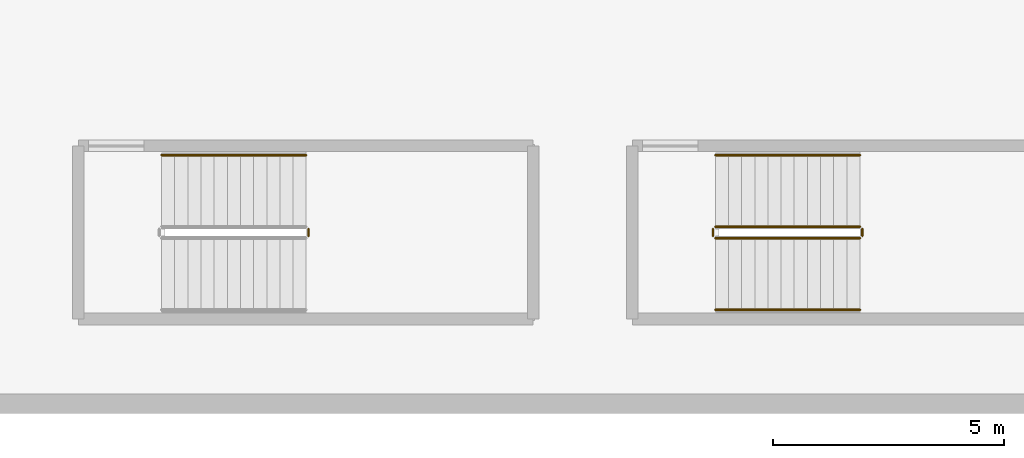
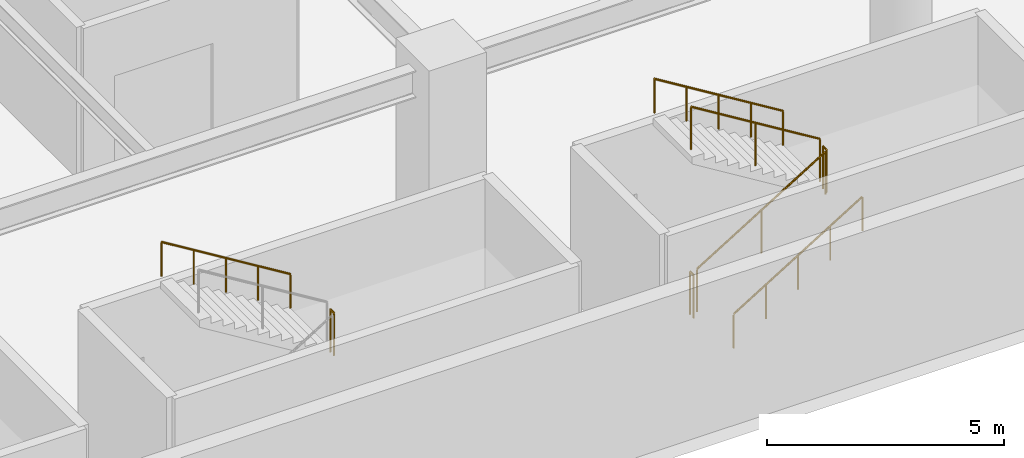
# One storey, part 17 of 22: 8 railings.
"""IFC4 building model written with IfcOpenShell, lengths in metres."""

import ifcopenshell
import ifcopenshell.guid

model = None  # the IFC model being written
_history = None  # IfcOwnerHistory: only IFC2X3 demands one
_inside = {}  # id of a spatial element -> (the spatial element, [elements in it])
_under = {}  # id of a project, library or spatial element -> (it, [spatial elements below it])
_declared = {}  # id of a project -> (the project, [libraries it declares])
_typed = {}  # id of a type object -> (the type object, [elements of that type])
_made_of = {}  # id of a material, layer set ... -> (it, [elements and type objects made of it])


def new_model(schema):
    """Start an empty IFC model of exactly this schema.

    Asked for "IFC4X3", IfcOpenShell would pick the latest addendum, in which some entities
    have other attributes; the version numbers below select the first issue.
    IFC2X3 requires an IfcOwnerHistory on every rooted entity: one is made here for all.
    """
    global model, _history
    if schema == "IFC4X3":
        model = ifcopenshell.file(schema_version=(4, 3, 0, 0))
    else:
        model = ifcopenshell.file(schema=schema)
    _inside.clear()
    _under.clear()
    _declared.clear()
    _typed.clear()
    _made_of.clear()
    _history = None
    if model.schema == "IFC2X3":
        org = make("IfcOrganization", Name="unknown")
        user = make(
            "IfcPersonAndOrganization",
            ThePerson=make("IfcPerson", FamilyName="unknown"),
            TheOrganization=org,
        )
        app = make(
            "IfcApplication",
            ApplicationDeveloper=org,
            Version="unknown",
            ApplicationFullName="unknown",
            ApplicationIdentifier="unknown",
        )
        _history = make(
            "IfcOwnerHistory",
            OwningUser=user,
            OwningApplication=app,
            ChangeAction="ADDED",
            CreationDate=0,
        )
    return model


def make(cls, **values):
    """One entity of the class cls with the attributes given. An attribute that is None is left unset."""
    return model.create_entity(
        cls, **{name: value for name, value in values.items() if value is not None}
    )


def rooted(cls, **values):
    """An entity with a GlobalId (a new one), such as an element, a storey or a relation."""
    return make(cls, GlobalId=ifcopenshell.guid.new(), OwnerHistory=_history, **values)


def si_unit(unit_type, name, prefix=None):
    """IfcSIUnit, for example si_unit("LENGTHUNIT", "METRE", prefix="MILLI")."""
    return make("IfcSIUnit", UnitType=unit_type, Prefix=prefix, Name=name)


def assignment(units):
    """IfcUnitAssignment: the units of a project."""
    return None if units is None else make("IfcUnitAssignment", Units=units)


def point(xyz):
    """IfcCartesianPoint."""
    return None if xyz is None else make("IfcCartesianPoint", Coordinates=xyz)


def direction(xyz):
    """IfcDirection."""
    return None if xyz is None else make("IfcDirection", DirectionRatios=xyz)


def frame(location, z_axis=None, x_axis=None):
    """IfcAxis2Placement3D, a coordinate frame: its origin and axes. An axis left out is left unset."""
    return make(
        "IfcAxis2Placement3D",
        Location=point(location),
        Axis=direction(z_axis),
        RefDirection=direction(x_axis),
    )


def frame_2d(location, x_axis=None):
    """IfcAxis2Placement2D, a coordinate frame in the plane: its origin and x axis."""
    return make(
        "IfcAxis2Placement2D", Location=point(location), RefDirection=direction(x_axis)
    )


def origin():
    """The frame at (0, 0, 0) with its axes left unset."""
    return frame((0.0, 0.0, 0.0))


def origin_2d():
    """The frame at (0, 0) in the plane with its x axis left unset."""
    return frame_2d((0.0, 0.0))


def place(relative_to, where):
    """IfcLocalPlacement: puts the frame where relative to a parent placement (None: the world)."""
    return make(
        "IfcLocalPlacement", PlacementRelTo=relative_to, RelativePlacement=where
    )


def context(
    kind, dimensions, precision=None, world=None, true_north=None, identifier=None
):
    """IfcGeometricRepresentationContext, for example the 3D "Model" context."""
    return make(
        "IfcGeometricRepresentationContext",
        ContextIdentifier=identifier,
        ContextType=kind,
        CoordinateSpaceDimension=dimensions,
        Precision=precision,
        WorldCoordinateSystem=world,
        TrueNorth=true_north,
    )


def subcontext(parent, identifier, kind, view, scale=None):
    """IfcGeometricRepresentationSubContext, for example "Body" below "Model"."""
    return make(
        "IfcGeometricRepresentationSubContext",
        ContextIdentifier=identifier,
        ContextType=kind,
        ParentContext=parent,
        TargetScale=scale,
        TargetView=view,
    )


def project(units=None, contexts=None):
    """IfcProject with its units and contexts."""
    return rooted(
        "IfcProject",
        Name="project",
        RepresentationContexts=contexts,
        UnitsInContext=assignment(units),
    )


def spatial(cls, under=None, at=None, **own):
    """A site, building, storey or space (cls), placed at a placement, below another one or the project."""
    s = rooted(cls, ObjectPlacement=at, **own)
    if under is not None:
        _under.setdefault(under.id(), (under, []))[1].append(s)
    return s


def profile(cls, at=None, kind="AREA", **sizes):
    """A parametric profile (cls). Its sizes go by their IFC names, for example OverallWidth=200.0."""
    return make(cls, ProfileType=kind, Position=at, **sizes)


def circle(**sizes):
    """IfcCircleProfileDef."""
    return profile("IfcCircleProfileDef", **sizes)


def extrude(swept, where, along, depth):
    """IfcExtrudedAreaSolid: the profile swept, set in the frame where, extruded along a direction by depth."""
    return make(
        "IfcExtrudedAreaSolid",
        SweptArea=swept,
        Position=where,
        ExtrudedDirection=direction(along),
        Depth=depth,
    )


def shape(context_of_items, identifier, shape_type, items):
    """IfcShapeRepresentation: the items that make up one representation, for example the "Body"."""
    return make(
        "IfcShapeRepresentation",
        ContextOfItems=context_of_items,
        RepresentationIdentifier=identifier,
        RepresentationType=shape_type,
        Items=items,
    )


def material(Name=None, Category=None):
    """IfcMaterial."""
    return make("IfcMaterial", Name=Name, Category=Category)


def made_of(thing, what):
    """Note that an element or type object is made of a material, layer set ...; save() writes the relation."""
    if what is not None:
        _made_of.setdefault(what.id(), (what, []))[1].append(thing)
    return thing


def type_object(cls, material=None, **own):
    """A type object (cls), such as IfcWallType, which elements share."""
    return made_of(rooted(cls, **own), material)


def element(
    cls,
    number,
    at=None,
    inside=None,
    cuts=None,
    type_object=None,
    material=None,
    context=None,
    identifier="Body",
    shape_type=None,
    held_by="IfcProductDefinitionShape",
    body=None,
    shapes=None,
    **own,
):
    """One element of the class cls, such as IfcWall. Its Tag is "e" and its number.

    at: its placement. inside: the storey or other place that contains it. cuts: it is an
    opening in that element (IfcRelVoidsElement). A single representation is given by context,
    identifier, shape_type and body (its items); several are given by shapes. held_by: the class
    of the entity that holds the representations. save() writes the other relations.
    """
    e = rooted(cls, Tag="e%d" % number, ObjectPlacement=at, **own)
    if body is not None:
        shapes = [shape(context, identifier, shape_type, body)]
    if shapes is not None:
        e.Representation = make(held_by, Representations=shapes)
    if inside is not None:
        _inside.setdefault(inside.id(), (inside, []))[1].append(e)
    if cuts is not None:
        rooted(
            "IfcRelVoidsElement", RelatingBuildingElement=cuts, RelatedOpeningElement=e
        )
    if type_object is not None:
        _typed.setdefault(type_object.id(), (type_object, []))[1].append(e)
    return made_of(e, material)


def aggregate(whole, parts):
    """IfcRelAggregates: a whole, such as a stair, and the parts it consists of."""
    return rooted("IfcRelAggregates", RelatingObject=whole, RelatedObjects=parts)


def save(model, path):
    """Write the relations noted so far, then the file.

    IfcRelAggregates (storeys below a building ...), IfcRelContainedInSpatialStructure (elements
    in a storey), IfcRelDefinesByType, IfcRelAssociatesMaterial and IfcRelDeclares: one each for
    every whole, place, type object, material and project.
    """
    for whole, parts in _under.values():
        aggregate(whole, parts)
    for where, things in _inside.values():
        rooted(
            "IfcRelContainedInSpatialStructure",
            RelatedElements=things,
            RelatingStructure=where,
        )
    for kind, things in _typed.values():
        rooted("IfcRelDefinesByType", RelatedObjects=things, RelatingType=kind)
    for what, things in _made_of.values():
        rooted("IfcRelAssociatesMaterial", RelatedObjects=things, RelatingMaterial=what)
    for by, libraries in _declared.values():
        rooted("IfcRelDeclares", RelatingContext=by, RelatedDefinitions=libraries)
    model.write(path)


model = new_model("IFC4")

# Units and contexts
model_context = context("Model", 3, precision=1e-05, world=origin(), true_north=direction((0.0, 1.0)))
body_context = subcontext(model_context, "Body", "Model", "MODEL_VIEW")
ifc_project = project(units=[si_unit("LENGTHUNIT", "METRE"), si_unit("AREAUNIT", "SQUARE_METRE"), si_unit("VOLUMEUNIT", "CUBIC_METRE"), si_unit("PLANEANGLEUNIT", "RADIAN"), si_unit("MASSUNIT", "GRAM", prefix="KILO")], contexts=[model_context])

# Site, building, storey
site_placement = place(None, origin())
site = spatial("IfcSite", under=ifc_project, at=site_placement, CompositionType="ELEMENT")
building_placement = place(site_placement, origin())
building = spatial("IfcBuilding", under=site, at=building_placement, Name="Narakoshi Arena Tower", CompositionType="ELEMENT")
storey_placement = place(building_placement, frame((0.0, 0.0, 13.199951171875)))
storey = spatial("IfcBuildingStorey", under=building, at=storey_placement, Name="L03", CompositionType="ELEMENT", Elevation=13.199951171875)

# Railings
ifc_material_1 = material(Name="Clear low-iron laminated structural glass", Category="glass")
railing_type_1 = type_object("IfcRailingType", Name="RL-BAL-1100", PredefinedType="BALUSTRADE", material=ifc_material_1)
railing_1_placement = place(storey_placement, frame((33.8349609375, 3.85009765625, 2.10009765625)))
element("IfcRailing", 1, at=railing_1_placement, inside=storey, type_object=railing_type_1, Name="L03 AST3 stair guard 2", PredefinedType="BALUSTRADE", context=body_context, shape_type="SweptSolid", body=[
    extrude(circle(Radius=0.02392578125, at=origin_2d()), frame((0.0, 0.0, 1.09619140625), z_axis=(0.0, 1.0, 0.0), x_axis=(-1.0, 0.0, 0.0)), (0.0, 0.0, 1.0), 0.14990234375),
    extrude(circle(Radius=0.02099609375, at=origin_2d()), origin(), (0.0, 0.0, 1.0), 1.072021484375),
    extrude(circle(Radius=0.02099609375, at=origin_2d()), frame((0.0, 0.14990234375, 0.0)), (0.0, 0.0, 1.0), 1.072021484375),
])
railing_2_placement = place(storey_placement, frame((42.64990234375, 3.800048828125, 0.175048828125)))
element("IfcRailing", 2, at=railing_2_placement, inside=storey, type_object=railing_type_1, Name="L03 AST4 stair guard 1", PredefinedType="BALUSTRADE", context=body_context, shape_type="SweptSolid", body=[
    extrude(circle(Radius=0.02392578125, at=origin_2d()), frame((0.0, 0.0, 1.09619140625), z_axis=(0.852166034122, 0.0, 0.523271488128), x_axis=(0.0, 1.0, 0.0)), (0.0, 0.0, 1.0), 3.678955078125),
    extrude(circle(Radius=0.02099609375, at=origin_2d()), origin(), (0.0, 0.0, 1.0), 1.072021484375),
    extrude(circle(Radius=0.02099609375, at=origin_2d()), frame((1.5673828125, 0.0, 0.96240234375)), (0.0, 0.0, 1.0), 1.072021484375),
    extrude(circle(Radius=0.02099609375, at=origin_2d()), frame((3.135009765625, 0.0, 1.925048828125)), (0.0, 0.0, 1.0), 1.072021484375),
])
railing_3_placement = place(storey_placement, frame((45.8349609375, 3.85009765625, 2.10009765625)))
element("IfcRailing", 3, at=railing_3_placement, inside=storey, type_object=railing_type_1, Name="L03 AST4 stair guard 2", PredefinedType="BALUSTRADE", context=body_context, shape_type="SweptSolid", body=[
    extrude(circle(Radius=0.02392578125, at=origin_2d()), frame((0.0, 0.0, 1.09619140625), z_axis=(0.0, 1.0, 0.0), x_axis=(-1.0, 0.0, 0.0)), (0.0, 0.0, 1.0), 0.14990234375),
    extrude(circle(Radius=0.02099609375, at=origin_2d()), origin(), (0.0, 0.0, 1.0), 1.072021484375),
    extrude(circle(Radius=0.02099609375, at=origin_2d()), frame((0.0, 0.14990234375, 0.0)), (0.0, 0.0, 1.0), 1.072021484375),
])
railing_4_placement = place(storey_placement, frame((45.784912109375, 4.050048828125, 2.275146484375)))
element("IfcRailing", 4, at=railing_4_placement, inside=storey, type_object=railing_type_1, Name="L03 AST4 stair guard 3", PredefinedType="BALUSTRADE", context=body_context, shape_type="SweptSolid", body=[
    extrude(circle(Radius=0.02392578125, at=origin_2d()), frame((0.0, 0.0, 1.09619140625), z_axis=(-0.852195625947, 0.0, 0.523223293744), x_axis=(0.0, -1.0, 0.0)), (0.0, 0.0, 1.0), 3.6787109375),
    extrude(circle(Radius=0.02099609375, at=origin_2d()), origin(), (0.0, 0.0, 1.0), 1.072021484375),
    extrude(circle(Radius=0.02099609375, at=origin_2d()), frame((-1.5673828125, 0.0, 0.96240234375)), (0.0, 0.0, 1.0), 1.072021484375),
    extrude(circle(Radius=0.02099609375, at=origin_2d()), frame((-3.135009765625, 0.0, 1.9248046875)), (0.0, 0.0, 1.0), 1.072021484375),
])
railing_5_placement = place(storey_placement, frame((42.60009765625, 3.85009765625, 0.0)))
element("IfcRailing", 5, at=railing_5_placement, inside=storey, type_object=railing_type_1, Name="L03 AST4 stair guard 4", PredefinedType="BALUSTRADE", context=body_context, shape_type="SweptSolid", body=[
    extrude(circle(Radius=0.02392578125, at=origin_2d()), frame((0.0, 0.0, 1.09619140625), z_axis=(0.0, 1.0, 0.0), x_axis=(-1.0, 0.0, 0.0)), (0.0, 0.0, 1.0), 0.14990234375),
    extrude(circle(Radius=0.02099609375, at=origin_2d()), origin(), (0.0, 0.0, 1.0), 1.072021484375),
    extrude(circle(Radius=0.02099609375, at=origin_2d()), frame((0.0, 0.14990234375, 0.0)), (0.0, 0.0, 1.0), 1.072021484375),
])
ifc_material_2 = material(Name="Brushed bronze stainless steel", Category="steel")
railing_type_2 = type_object("IfcRailingType", Name="RL-HND-900", PredefinedType="HANDRAIL", material=ifc_material_2)
railing_6_placement = place(storey_placement, frame((33.784912109375, 5.60009765625, 2.275146484375)))
element("IfcRailing", 6, at=railing_6_placement, inside=storey, type_object=railing_type_2, Name="L03 AST3 stair handrail 2", PredefinedType="HANDRAIL", context=body_context, shape_type="SweptSolid", body=[
    extrude(circle(Radius=0.02392578125, at=origin_2d()), frame((0.0, 0.0, 0.8759765625), z_axis=(-0.852195625947, 0.0, 0.523223293744), x_axis=(0.0, -1.0, 0.0)), (0.0, 0.0, 1.0), 3.6787109375),
    extrude(circle(Radius=0.02099609375, at=origin_2d()), origin(), (0.0, 0.0, 1.0), 0.851806640625),
    extrude(circle(Radius=0.02099609375, at=origin_2d()), frame((-0.78369140625, 0.0, 0.481201171875)), (0.0, 0.0, 1.0), 0.851806640625),
    extrude(circle(Radius=0.02099609375, at=origin_2d()), frame((-1.5673828125, 0.0, 0.96240234375)), (0.0, 0.0, 1.0), 0.851806640625),
    extrude(circle(Radius=0.02099609375, at=origin_2d()), frame((-2.351318359375, 0.0, 1.443603515625)), (0.0, 0.0, 1.0), 0.851806640625),
    extrude(circle(Radius=0.02099609375, at=origin_2d()), frame((-3.135009765625, 0.0, 1.9248046875)), (0.0, 0.0, 1.0), 0.851806640625),
])
railing_7_placement = place(storey_placement, frame((42.64990234375, 2.25, 0.175048828125)))
element("IfcRailing", 7, at=railing_7_placement, inside=storey, type_object=railing_type_2, Name="L03 AST4 stair handrail 1", PredefinedType="HANDRAIL", context=body_context, shape_type="SweptSolid", body=[
    extrude(circle(Radius=0.02392578125, at=origin_2d()), frame((0.0, 0.0, 0.8759765625), z_axis=(0.852166034122, 0.0, 0.523271488128), x_axis=(0.0, 1.0, 0.0)), (0.0, 0.0, 1.0), 3.678955078125),
    extrude(circle(Radius=0.02099609375, at=origin_2d()), origin(), (0.0, 0.0, 1.0), 0.851806640625),
    extrude(circle(Radius=0.02099609375, at=origin_2d()), frame((0.78369140625, 0.0, 0.481201171875)), (0.0, 0.0, 1.0), 0.851806640625),
    extrude(circle(Radius=0.02099609375, at=origin_2d()), frame((1.5673828125, 0.0, 0.96240234375)), (0.0, 0.0, 1.0), 0.851806640625),
    extrude(circle(Radius=0.02099609375, at=origin_2d()), frame((2.351318359375, 0.0, 1.44384765625)), (0.0, 0.0, 1.0), 0.851806640625),
    extrude(circle(Radius=0.02099609375, at=origin_2d()), frame((3.135009765625, 0.0, 1.925048828125)), (0.0, 0.0, 1.0), 0.851806640625),
])
railing_8_placement = place(storey_placement, frame((45.784912109375, 5.60009765625, 2.275146484375)))
element("IfcRailing", 8, at=railing_8_placement, inside=storey, type_object=railing_type_2, Name="L03 AST4 stair handrail 2", PredefinedType="HANDRAIL", context=body_context, shape_type="SweptSolid", body=[
    extrude(circle(Radius=0.02392578125, at=origin_2d()), frame((0.0, 0.0, 0.8759765625), z_axis=(-0.852195625947, 0.0, 0.523223293744), x_axis=(0.0, -1.0, 0.0)), (0.0, 0.0, 1.0), 3.6787109375),
    extrude(circle(Radius=0.02099609375, at=origin_2d()), origin(), (0.0, 0.0, 1.0), 0.851806640625),
    extrude(circle(Radius=0.02099609375, at=origin_2d()), frame((-0.78369140625, 0.0, 0.481201171875)), (0.0, 0.0, 1.0), 0.851806640625),
    extrude(circle(Radius=0.02099609375, at=origin_2d()), frame((-1.5673828125, 0.0, 0.96240234375)), (0.0, 0.0, 1.0), 0.851806640625),
    extrude(circle(Radius=0.02099609375, at=origin_2d()), frame((-2.351318359375, 0.0, 1.443603515625)), (0.0, 0.0, 1.0), 0.851806640625),
    extrude(circle(Radius=0.02099609375, at=origin_2d()), frame((-3.135009765625, 0.0, 1.9248046875)), (0.0, 0.0, 1.0), 0.851806640625),
])

save(model, "model.ifc")
